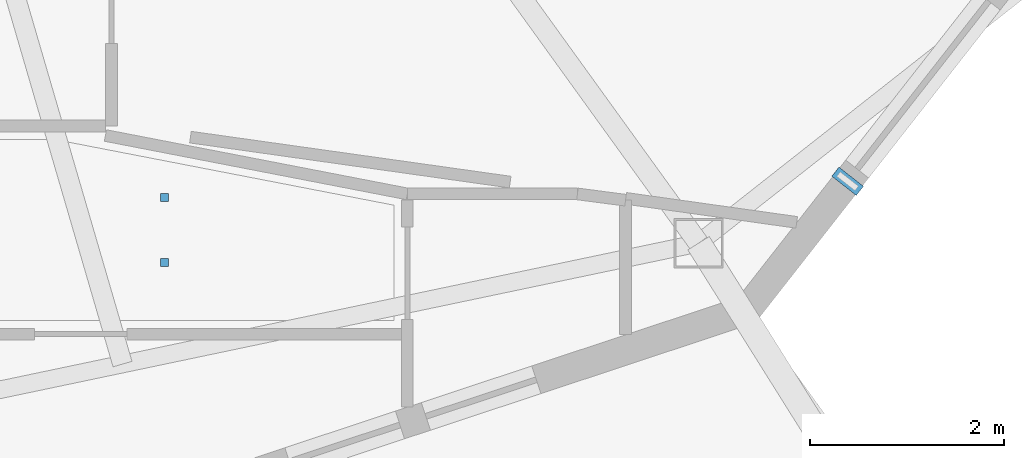
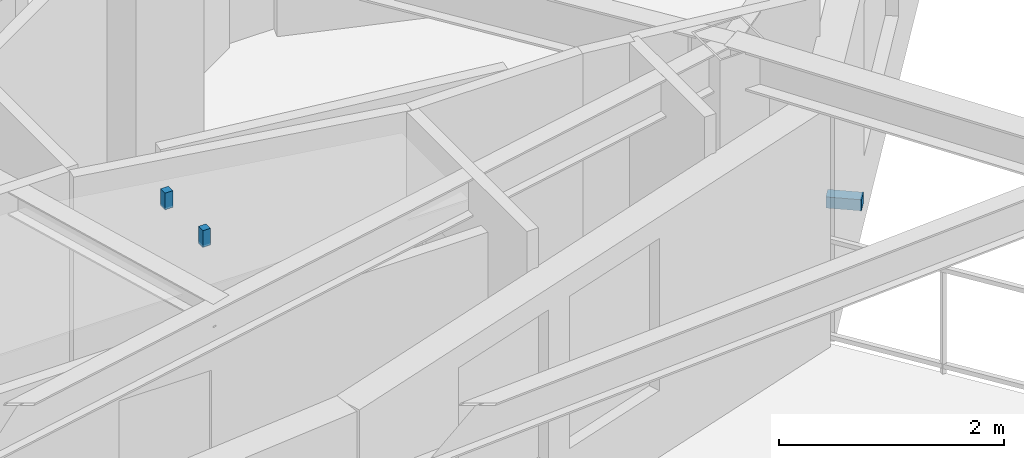
# One storey, part 11 of 18: 3 discrete accessories.
"""IFC4 building model written with IfcOpenShell, lengths in metres."""

from ifc_helpers import new_model, si_unit, direction, frame, origin, origin_2d, place, context, subcontext, project, spatial, rectangle, extrude, material, type_object, element, save


model = new_model("IFC4")

# Units and contexts
model_context = context("Model", 3, precision=1e-05, world=origin(), true_north=direction((0.0, 1.0)))
body_context = subcontext(model_context, "Body", "Model", "MODEL_VIEW")
ifc_project = project(units=[si_unit("LENGTHUNIT", "METRE"), si_unit("AREAUNIT", "SQUARE_METRE"), si_unit("VOLUMEUNIT", "CUBIC_METRE"), si_unit("PLANEANGLEUNIT", "RADIAN"), si_unit("MASSUNIT", "GRAM", prefix="KILO")], contexts=[model_context])

# Site, building, storey
site_placement = place(None, origin())
site = spatial("IfcSite", under=ifc_project, at=site_placement, CompositionType="ELEMENT")
building_placement = place(site_placement, origin())
building = spatial("IfcBuilding", under=site, at=building_placement, Name="Kolvaren Gate Tower and Convention Centre", CompositionType="ELEMENT")
storey_placement = place(building_placement, frame((0.0, 0.0, 229.39990234375)))
storey = spatial("IfcBuildingStorey", under=building, at=storey_placement, Name="L61", CompositionType="ELEMENT", Elevation=229.39990234375)

# Discrete accessories
ifc_material_1 = material(Name="Anodized Architectural Aluminium Alloy 6063-T6", Category="aluminium")
discrete_accessory_type_1 = type_object("IfcDiscreteAccessoryType", Name="ARCH-ACC-BRACKET-120", PredefinedType="BRACKET", material=ifc_material_1)
discrete_accessory_placement = place(storey_placement, frame((43.539306640625, 11.180419921875, 0.2900390625), z_axis=(0.0, 0.0, 1.0), x_axis=(0.616434119112, 0.787406487651, 0.0)))
element("IfcDiscreteAccessory", 1, at=discrete_accessory_placement, inside=storey, type_object=discrete_accessory_type_1, Name="Ceramic Fin Wall Anchor Bracket FBK-L61-20", PredefinedType="BRACKET", context=body_context, shape_type="SweptSolid", body=[
    extrude(rectangle(XDim=0.1201171875, YDim=0.320068359375, at=origin_2d()), origin(), (0.0, 0.0, 1.0), 0.1201171875),
])
ifc_material_2 = material(Name="Brushed Stainless Steel Grade 316L", Category="steel")
discrete_accessory_type_2 = type_object("IfcDiscreteAccessoryType", Name="ARCH-ACC-HANGER-80", PredefinedType="BRACKET", material=ifc_material_2)
for number, where, z_axis, x_axis, name in (
    (2, (36.49609375, 10.342041015625, 2.85009765625), (0.0, 0.0, 1.0), (1.0, 0.0, 0.0), "Duplex Loft Living Room (APT-L61-02) Ceiling Suspension Hanger Clip 2"),
    (3, (36.49609375, 11.012939453125, 2.85009765625), (0.0, 0.0, 1.0), (1.0, 0.0, 0.0), "Duplex Loft Living Room (APT-L61-02) Ceiling Suspension Hanger Clip 4"),
):
    element("IfcDiscreteAccessory", number, at=place(storey_placement, frame(where, z_axis=z_axis, x_axis=x_axis)), inside=storey, type_object=discrete_accessory_type_2, Name=name, PredefinedType="BRACKET", context=body_context, shape_type="SweptSolid", body=[
        extrude(rectangle(XDim=0.080078125, YDim=0.080078125, at=origin_2d()), origin(), (0.0, 0.0, 1.0), 0.179931640625),
    ])

save(model, "model.ifc")
